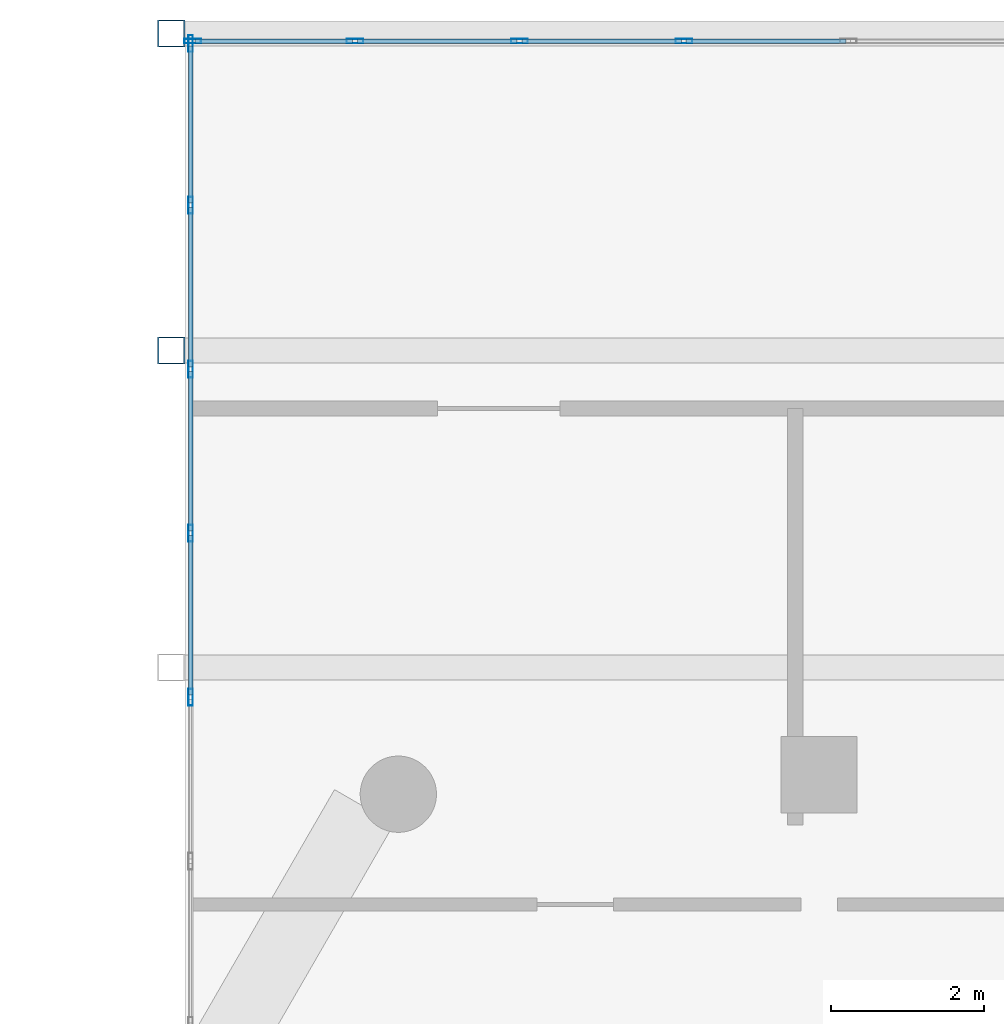
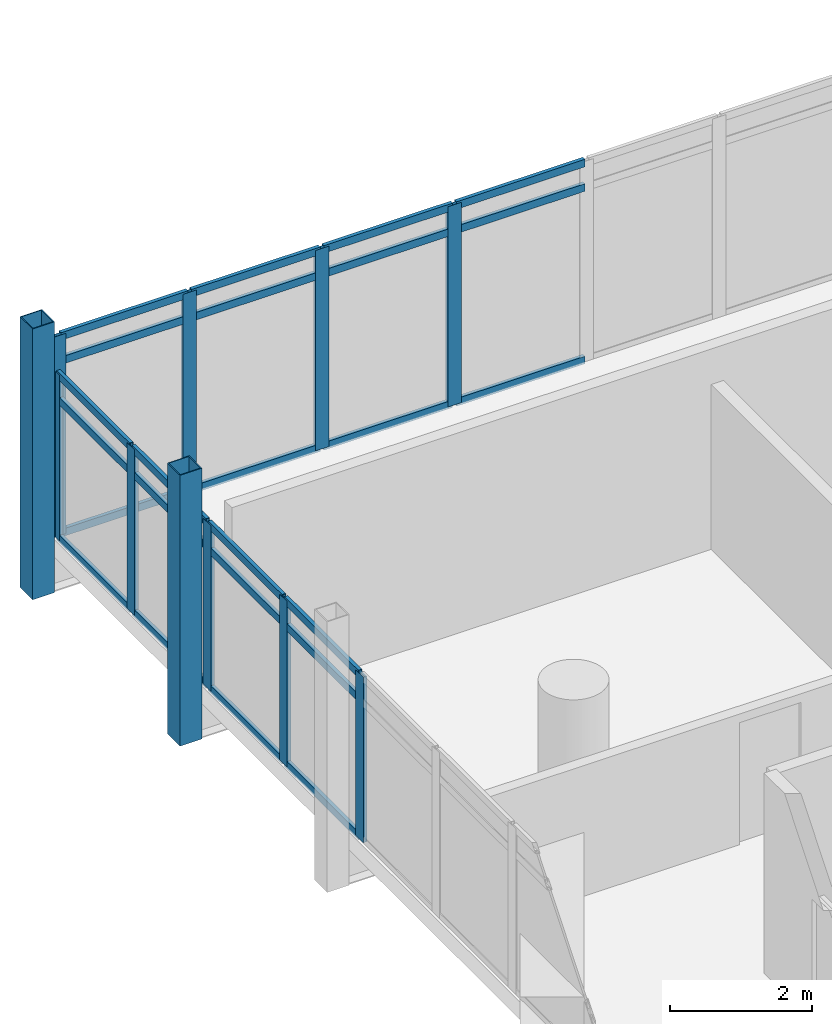
# One storey, part 15 of 29: 35 members, 2 elements without a shape of their own.
"""IFC4 building model written with IfcOpenShell, lengths in metres."""

from ifc_helpers import new_model, si_unit, direction, frame, origin, origin_2d, place, context, subcontext, project, spatial, hollow_rectangle, extrude, material, material_profile, profile_set, type_object, element, aggregate, save


model = new_model("IFC4")

# Units and contexts
model_context = context("Model", 3, precision=1e-05, world=origin(), true_north=direction((0.0, 1.0)))
body_context = subcontext(model_context, "Body", "Model", "MODEL_VIEW")
ifc_project = project(units=[si_unit("LENGTHUNIT", "METRE"), si_unit("AREAUNIT", "SQUARE_METRE"), si_unit("VOLUMEUNIT", "CUBIC_METRE"), si_unit("PLANEANGLEUNIT", "RADIAN"), si_unit("MASSUNIT", "GRAM", prefix="KILO")], contexts=[model_context])

# Site, building, storey
site_placement = place(None, origin())
site = spatial("IfcSite", under=ifc_project, at=site_placement, CompositionType="ELEMENT")
building_placement = place(site_placement, origin())
building = spatial("IfcBuilding", under=site, at=building_placement, Name="Ostrander Bayou Hotel Tower", CompositionType="ELEMENT")
storey_placement = place(building_placement, frame((0.0, 0.0, 205.75)))
storey = spatial("IfcBuildingStorey", under=building, at=storey_placement, Name="L51", CompositionType="ELEMENT", Elevation=205.75)

# Curtain wall, members
ifc_material_1 = material(Name="Aluminium and clear glass", Category="aluminium")
curtain_wall_type = type_object("IfcCurtainWallType", Name="CW-BAR glazed wall", PredefinedType="NOTDEFINED", material=ifc_material_1)
curtain_wall_1_placement = place(storey_placement, origin())
curtain_wall_1 = element("IfcCurtainWall", 1, at=curtain_wall_1_placement, inside=storey, type_object=curtain_wall_type, Name="CW-BAR L51:SB4N:E", PredefinedType="NOTDEFINED")
ifc_material_2 = material(Name="Aluminium", Category="aluminium")
ifc_material_profile_1 = material_profile(ifc_material_2, hollow_rectangle(XDim=0.06005859375, YDim=0.219970703125, WallThickness=0.00390625, at=origin_2d()))
ifc_profile_set_1 = profile_set([ifc_material_profile_1], Name="Aluminium")
member_type_1 = type_object("IfcMemberType", Name="CW-BR mullion 60 x 220 mm", PredefinedType="MULLION", material=ifc_profile_set_1)
member_1_placement = place(storey_placement, frame((-11.857177734375, 19.3154296875, 0.0), z_axis=(0.0, 0.0, 1.0), x_axis=(-1.0, 0.0, 0.0)))
member_1 = element("IfcMember", 2, at=member_1_placement, type_object=member_type_1, Name="CW-BAR mullion 6", PredefinedType="MULLION", context=body_context, shape_type="SweptSolid", body=[
    extrude(hollow_rectangle(XDim=0.06005859375, YDim=0.219970703125, WallThickness=0.00390625, at=origin_2d()), origin(), (0.0, 0.0, 1.0), 2.85009765625),
])
member_2_placement = place(storey_placement, frame((-11.857177734375, 21.465576171875, 0.0), z_axis=(0.0, 0.0, 1.0), x_axis=(-1.0, 0.0, 0.0)))
member_2 = element("IfcMember", 3, at=member_2_placement, type_object=member_type_1, Name="CW-BAR mullion 7", PredefinedType="MULLION", context=body_context, shape_type="SweptSolid", body=[
    extrude(hollow_rectangle(XDim=0.06005859375, YDim=0.219970703125, WallThickness=0.00390625, at=origin_2d()), origin(), (0.0, 0.0, 1.0), 2.85009765625),
])
member_3_placement = place(storey_placement, frame((-11.857177734375, 23.61572265625, 0.0), z_axis=(0.0, 0.0, 1.0), x_axis=(-1.0, 0.0, 0.0)))
member_3 = element("IfcMember", 4, at=member_3_placement, type_object=member_type_1, Name="CW-BAR mullion 8", PredefinedType="MULLION", context=body_context, shape_type="SweptSolid", body=[
    extrude(hollow_rectangle(XDim=0.06005859375, YDim=0.219970703125, WallThickness=0.00390625, at=origin_2d()), origin(), (0.0, 0.0, 1.0), 2.85009765625),
])
member_4_placement = place(storey_placement, frame((-11.857177734375, 25.765869140625, 0.0), z_axis=(0.0, 0.0, 1.0), x_axis=(-1.0, 0.0, 0.0)))
member_4 = element("IfcMember", 5, at=member_4_placement, type_object=member_type_1, Name="CW-BAR mullion 9", PredefinedType="MULLION", context=body_context, shape_type="SweptSolid", body=[
    extrude(hollow_rectangle(XDim=0.06005859375, YDim=0.219970703125, WallThickness=0.00390625, at=origin_2d()), origin(), (0.0, 0.0, 1.0), 2.85009765625),
])
member_5_placement = place(storey_placement, frame((-11.857177734375, 27.885986328125, 0.0), z_axis=(0.0, 0.0, 1.0), x_axis=(-1.0, 0.0, 0.0)))
member_5 = element("IfcMember", 6, at=member_5_placement, type_object=member_type_1, Name="CW-BAR mullion 10", PredefinedType="MULLION", context=body_context, shape_type="SweptSolid", body=[
    extrude(hollow_rectangle(XDim=0.06005859375, YDim=0.219970703125, WallThickness=0.00390625, at=origin_2d()), origin(), (0.0, 0.0, 1.0), 2.85009765625),
])

curtain_wall_2_placement = place(storey_placement, origin())
curtain_wall_2 = element("IfcCurtainWall", 7, at=curtain_wall_2_placement, inside=storey, type_object=curtain_wall_type, Name="CW-BAR L51:SB4N:T", PredefinedType="NOTDEFINED")
member_6_placement = place(storey_placement, frame((-11.8271484375, 27.916015625, 0.0), z_axis=(0.0, 0.0, 1.0), x_axis=(0.0, 1.0, 0.0)))
member_6 = element("IfcMember", 8, at=member_6_placement, type_object=member_type_1, Name="CW-BAR mullion 1", PredefinedType="MULLION", context=body_context, shape_type="SweptSolid", body=[
    extrude(hollow_rectangle(XDim=0.06005859375, YDim=0.219970703125, WallThickness=0.00390625, at=origin_2d()), origin(), (0.0, 0.0, 1.0), 3.449951171875),
])
member_7_placement = place(storey_placement, frame((-9.701416015625, 27.916015625, 0.0), z_axis=(0.0, 0.0, 1.0), x_axis=(0.0, 1.0, 0.0)))
member_7 = element("IfcMember", 9, at=member_7_placement, type_object=member_type_1, Name="CW-BAR mullion 2", PredefinedType="MULLION", context=body_context, shape_type="SweptSolid", body=[
    extrude(hollow_rectangle(XDim=0.06005859375, YDim=0.219970703125, WallThickness=0.00390625, at=origin_2d()), origin(), (0.0, 0.0, 1.0), 3.449951171875),
])
member_8_placement = place(storey_placement, frame((-7.54541015625, 27.916015625, 0.0), z_axis=(0.0, 0.0, 1.0), x_axis=(0.0, 1.0, 0.0)))
member_8 = element("IfcMember", 10, at=member_8_placement, type_object=member_type_1, Name="CW-BAR mullion 3", PredefinedType="MULLION", context=body_context, shape_type="SweptSolid", body=[
    extrude(hollow_rectangle(XDim=0.06005859375, YDim=0.219970703125, WallThickness=0.00390625, at=origin_2d()), origin(), (0.0, 0.0, 1.0), 3.449951171875),
])
member_9_placement = place(storey_placement, frame((-5.3896484375, 27.916015625, 0.0), z_axis=(0.0, 0.0, 1.0), x_axis=(0.0, 1.0, 0.0)))
member_9 = element("IfcMember", 11, at=member_9_placement, type_object=member_type_1, Name="CW-BAR mullion 4", PredefinedType="MULLION", context=body_context, shape_type="SweptSolid", body=[
    extrude(hollow_rectangle(XDim=0.06005859375, YDim=0.219970703125, WallThickness=0.00390625, at=origin_2d()), origin(), (0.0, 0.0, 1.0), 3.449951171875),
])

# Member
ifc_material_3 = material(Name="Aluminium", Category="aluminium")
ifc_material_profile_2 = material_profile(ifc_material_3, hollow_rectangle(XDim=0.06005859375, YDim=0.1298828125, WallThickness=0.00390625, at=origin_2d()))
ifc_profile_set_2 = profile_set([ifc_material_profile_2], Name="Aluminium")
member_type_2 = type_object("IfcMemberType", Name="CW-BR transom 60 x 130 mm", PredefinedType="USERDEFINED", material=ifc_profile_set_2)
member_10_placement = place(storey_placement, frame((-11.857177734375, 19.345458984375, 0.030029296875), z_axis=(0.0, 1.0, 0.0), x_axis=(-1.0, 0.0, 0.0)))
member_10 = element("IfcMember", 12, at=member_10_placement, type_object=member_type_2, Name="CW-BAR transom 6.1", ObjectType="TRANSOM", PredefinedType="USERDEFINED", context=body_context, shape_type="SweptSolid", body=[
    extrude(hollow_rectangle(XDim=0.06005859375, YDim=0.1298828125, WallThickness=0.00390625, at=origin_2d()), origin(), (0.0, 0.0, 1.0), 2.090087890625),
])

member_11_placement = place(storey_placement, frame((-11.857177734375, 19.345458984375, 2.39990234375), z_axis=(0.0, 1.0, 0.0), x_axis=(-1.0, 0.0, 0.0)))
member_11 = element("IfcMember", 13, at=member_11_placement, type_object=member_type_2, Name="CW-BAR transom 6.2", ObjectType="TRANSOM", PredefinedType="USERDEFINED", context=body_context, shape_type="SweptSolid", body=[
    extrude(hollow_rectangle(XDim=0.06005859375, YDim=0.1298828125, WallThickness=0.00390625, at=origin_2d()), origin(), (0.0, 0.0, 1.0), 2.090087890625),
])

member_12_placement = place(storey_placement, frame((-11.857177734375, 19.345458984375, 2.820068359375), z_axis=(0.0, 1.0, 0.0), x_axis=(-1.0, 0.0, 0.0)))
member_12 = element("IfcMember", 14, at=member_12_placement, type_object=member_type_2, Name="CW-BAR transom 6.3", ObjectType="TRANSOM", PredefinedType="USERDEFINED", context=body_context, shape_type="SweptSolid", body=[
    extrude(hollow_rectangle(XDim=0.06005859375, YDim=0.1298828125, WallThickness=0.00390625, at=origin_2d()), origin(), (0.0, 0.0, 1.0), 2.090087890625),
])

member_13_placement = place(storey_placement, frame((-11.857177734375, 21.49560546875, 0.030029296875), z_axis=(0.0, 1.0, 0.0), x_axis=(-1.0, 0.0, 0.0)))
member_13 = element("IfcMember", 15, at=member_13_placement, type_object=member_type_2, Name="CW-BAR transom 7.1", ObjectType="TRANSOM", PredefinedType="USERDEFINED", context=body_context, shape_type="SweptSolid", body=[
    extrude(hollow_rectangle(XDim=0.06005859375, YDim=0.1298828125, WallThickness=0.00390625, at=origin_2d()), origin(), (0.0, 0.0, 1.0), 2.090087890625),
])

member_14_placement = place(storey_placement, frame((-11.857177734375, 21.49560546875, 2.39990234375), z_axis=(0.0, 1.0, 0.0), x_axis=(-1.0, 0.0, 0.0)))
member_14 = element("IfcMember", 16, at=member_14_placement, type_object=member_type_2, Name="CW-BAR transom 7.2", ObjectType="TRANSOM", PredefinedType="USERDEFINED", context=body_context, shape_type="SweptSolid", body=[
    extrude(hollow_rectangle(XDim=0.06005859375, YDim=0.1298828125, WallThickness=0.00390625, at=origin_2d()), origin(), (0.0, 0.0, 1.0), 2.090087890625),
])

member_15_placement = place(storey_placement, frame((-11.857177734375, 21.49560546875, 2.820068359375), z_axis=(0.0, 1.0, 0.0), x_axis=(-1.0, 0.0, 0.0)))
member_15 = element("IfcMember", 17, at=member_15_placement, type_object=member_type_2, Name="CW-BAR transom 7.3", ObjectType="TRANSOM", PredefinedType="USERDEFINED", context=body_context, shape_type="SweptSolid", body=[
    extrude(hollow_rectangle(XDim=0.06005859375, YDim=0.1298828125, WallThickness=0.00390625, at=origin_2d()), origin(), (0.0, 0.0, 1.0), 2.090087890625),
])

member_16_placement = place(storey_placement, frame((-11.857177734375, 23.645751953125, 0.030029296875), z_axis=(0.0, 1.0, 0.0), x_axis=(-1.0, 0.0, 0.0)))
member_16 = element("IfcMember", 18, at=member_16_placement, type_object=member_type_2, Name="CW-BAR transom 8.1", ObjectType="TRANSOM", PredefinedType="USERDEFINED", context=body_context, shape_type="SweptSolid", body=[
    extrude(hollow_rectangle(XDim=0.06005859375, YDim=0.1298828125, WallThickness=0.00390625, at=origin_2d()), origin(), (0.0, 0.0, 1.0), 2.090087890625),
])

member_17_placement = place(storey_placement, frame((-11.857177734375, 23.645751953125, 2.39990234375), z_axis=(0.0, 1.0, 0.0), x_axis=(-1.0, 0.0, 0.0)))
member_17 = element("IfcMember", 19, at=member_17_placement, type_object=member_type_2, Name="CW-BAR transom 8.2", ObjectType="TRANSOM", PredefinedType="USERDEFINED", context=body_context, shape_type="SweptSolid", body=[
    extrude(hollow_rectangle(XDim=0.06005859375, YDim=0.1298828125, WallThickness=0.00390625, at=origin_2d()), origin(), (0.0, 0.0, 1.0), 2.090087890625),
])

member_18_placement = place(storey_placement, frame((-11.857177734375, 23.645751953125, 2.820068359375), z_axis=(0.0, 1.0, 0.0), x_axis=(-1.0, 0.0, 0.0)))
member_18 = element("IfcMember", 20, at=member_18_placement, type_object=member_type_2, Name="CW-BAR transom 8.3", ObjectType="TRANSOM", PredefinedType="USERDEFINED", context=body_context, shape_type="SweptSolid", body=[
    extrude(hollow_rectangle(XDim=0.06005859375, YDim=0.1298828125, WallThickness=0.00390625, at=origin_2d()), origin(), (0.0, 0.0, 1.0), 2.090087890625),
])

member_19_placement = place(storey_placement, frame((-11.857177734375, 25.7958984375, 0.030029296875), z_axis=(0.0, 1.0, 0.0), x_axis=(-1.0, 0.0, 0.0)))
member_19 = element("IfcMember", 21, at=member_19_placement, type_object=member_type_2, Name="CW-BAR transom 9.1", ObjectType="TRANSOM", PredefinedType="USERDEFINED", context=body_context, shape_type="SweptSolid", body=[
    extrude(hollow_rectangle(XDim=0.06005859375, YDim=0.1298828125, WallThickness=0.00390625, at=origin_2d()), origin(), (0.0, 0.0, 1.0), 2.060302734375),
])

member_20_placement = place(storey_placement, frame((-11.857177734375, 25.7958984375, 2.39990234375), z_axis=(0.0, 1.0, 0.0), x_axis=(-1.0, 0.0, 0.0)))
member_20 = element("IfcMember", 22, at=member_20_placement, type_object=member_type_2, Name="CW-BAR transom 9.2", ObjectType="TRANSOM", PredefinedType="USERDEFINED", context=body_context, shape_type="SweptSolid", body=[
    extrude(hollow_rectangle(XDim=0.06005859375, YDim=0.1298828125, WallThickness=0.00390625, at=origin_2d()), origin(), (0.0, 0.0, 1.0), 2.060302734375),
])

member_21_placement = place(storey_placement, frame((-11.857177734375, 25.7958984375, 2.820068359375), z_axis=(0.0, 1.0, 0.0), x_axis=(-1.0, 0.0, 0.0)))
member_21 = element("IfcMember", 23, at=member_21_placement, type_object=member_type_2, Name="CW-BAR transom 9.3", ObjectType="TRANSOM", PredefinedType="USERDEFINED", context=body_context, shape_type="SweptSolid", body=[
    extrude(hollow_rectangle(XDim=0.06005859375, YDim=0.1298828125, WallThickness=0.00390625, at=origin_2d()), origin(), (0.0, 0.0, 1.0), 2.060302734375),
])

aggregate(curtain_wall_1, [member_1, member_2, member_3, member_4, member_5, member_10, member_11, member_12, member_13, member_14, member_15, member_16, member_17, member_18, member_19, member_20, member_21])

member_22_placement = place(storey_placement, frame((-11.797119140625, 27.916015625, 0.030029296875), z_axis=(1.0, 0.0, 0.0), x_axis=(0.0, 1.0, 0.0)))
member_22 = element("IfcMember", 24, at=member_22_placement, type_object=member_type_2, Name="CW-BAR transom 1.1", ObjectType="TRANSOM", PredefinedType="USERDEFINED", context=body_context, shape_type="SweptSolid", body=[
    extrude(hollow_rectangle(XDim=0.06005859375, YDim=0.1298828125, WallThickness=0.00390625, at=origin_2d()), origin(), (0.0, 0.0, 1.0), 2.065673828125),
])

member_23_placement = place(storey_placement, frame((-11.797119140625, 27.916015625, 3.0), z_axis=(1.0, 0.0, 0.0), x_axis=(0.0, 1.0, 0.0)))
member_23 = element("IfcMember", 25, at=member_23_placement, type_object=member_type_2, Name="CW-BAR transom 1.2", ObjectType="TRANSOM", PredefinedType="USERDEFINED", context=body_context, shape_type="SweptSolid", body=[
    extrude(hollow_rectangle(XDim=0.06005859375, YDim=0.1298828125, WallThickness=0.00390625, at=origin_2d()), origin(), (0.0, 0.0, 1.0), 2.065673828125),
])

member_24_placement = place(storey_placement, frame((-11.797119140625, 27.916015625, 3.419921875), z_axis=(1.0, 0.0, 0.0), x_axis=(0.0, 1.0, 0.0)))
member_24 = element("IfcMember", 26, at=member_24_placement, type_object=member_type_2, Name="CW-BAR transom 1.3", ObjectType="TRANSOM", PredefinedType="USERDEFINED", context=body_context, shape_type="SweptSolid", body=[
    extrude(hollow_rectangle(XDim=0.06005859375, YDim=0.1298828125, WallThickness=0.00390625, at=origin_2d()), origin(), (0.0, 0.0, 1.0), 2.065673828125),
])

member_25_placement = place(storey_placement, frame((-9.67138671875, 27.916015625, 0.030029296875), z_axis=(1.0, 0.0, 0.0), x_axis=(0.0, 1.0, 0.0)))
member_25 = element("IfcMember", 27, at=member_25_placement, type_object=member_type_2, Name="CW-BAR transom 2.1", ObjectType="TRANSOM", PredefinedType="USERDEFINED", context=body_context, shape_type="SweptSolid", body=[
    extrude(hollow_rectangle(XDim=0.06005859375, YDim=0.1298828125, WallThickness=0.00390625, at=origin_2d()), origin(), (0.0, 0.0, 1.0), 2.095947265625),
])

member_26_placement = place(storey_placement, frame((-9.67138671875, 27.916015625, 3.0), z_axis=(1.0, 0.0, 0.0), x_axis=(0.0, 1.0, 0.0)))
member_26 = element("IfcMember", 28, at=member_26_placement, type_object=member_type_2, Name="CW-BAR transom 2.2", ObjectType="TRANSOM", PredefinedType="USERDEFINED", context=body_context, shape_type="SweptSolid", body=[
    extrude(hollow_rectangle(XDim=0.06005859375, YDim=0.1298828125, WallThickness=0.00390625, at=origin_2d()), origin(), (0.0, 0.0, 1.0), 2.095947265625),
])

member_27_placement = place(storey_placement, frame((-9.67138671875, 27.916015625, 3.419921875), z_axis=(1.0, 0.0, 0.0), x_axis=(0.0, 1.0, 0.0)))
member_27 = element("IfcMember", 29, at=member_27_placement, type_object=member_type_2, Name="CW-BAR transom 2.3", ObjectType="TRANSOM", PredefinedType="USERDEFINED", context=body_context, shape_type="SweptSolid", body=[
    extrude(hollow_rectangle(XDim=0.06005859375, YDim=0.1298828125, WallThickness=0.00390625, at=origin_2d()), origin(), (0.0, 0.0, 1.0), 2.095947265625),
])

member_28_placement = place(storey_placement, frame((-7.515380859375, 27.916015625, 0.030029296875), z_axis=(1.0, 0.0, 0.0), x_axis=(0.0, 1.0, 0.0)))
member_28 = element("IfcMember", 30, at=member_28_placement, type_object=member_type_2, Name="CW-BAR transom 3.1", ObjectType="TRANSOM", PredefinedType="USERDEFINED", context=body_context, shape_type="SweptSolid", body=[
    extrude(hollow_rectangle(XDim=0.06005859375, YDim=0.1298828125, WallThickness=0.00390625, at=origin_2d()), origin(), (0.0, 0.0, 1.0), 2.095703125),
])

member_29_placement = place(storey_placement, frame((-7.515380859375, 27.916015625, 3.0), z_axis=(1.0, 0.0, 0.0), x_axis=(0.0, 1.0, 0.0)))
member_29 = element("IfcMember", 31, at=member_29_placement, type_object=member_type_2, Name="CW-BAR transom 3.2", ObjectType="TRANSOM", PredefinedType="USERDEFINED", context=body_context, shape_type="SweptSolid", body=[
    extrude(hollow_rectangle(XDim=0.06005859375, YDim=0.1298828125, WallThickness=0.00390625, at=origin_2d()), origin(), (0.0, 0.0, 1.0), 2.095703125),
])

member_30_placement = place(storey_placement, frame((-7.515380859375, 27.916015625, 3.419921875), z_axis=(1.0, 0.0, 0.0), x_axis=(0.0, 1.0, 0.0)))
member_30 = element("IfcMember", 32, at=member_30_placement, type_object=member_type_2, Name="CW-BAR transom 3.3", ObjectType="TRANSOM", PredefinedType="USERDEFINED", context=body_context, shape_type="SweptSolid", body=[
    extrude(hollow_rectangle(XDim=0.06005859375, YDim=0.1298828125, WallThickness=0.00390625, at=origin_2d()), origin(), (0.0, 0.0, 1.0), 2.095703125),
])

member_31_placement = place(storey_placement, frame((-5.359619140625, 27.916015625, 0.030029296875), z_axis=(1.0, 0.0, 0.0), x_axis=(0.0, 1.0, 0.0)))
member_31 = element("IfcMember", 33, at=member_31_placement, type_object=member_type_2, Name="CW-BAR transom 4.1", ObjectType="TRANSOM", PredefinedType="USERDEFINED", context=body_context, shape_type="SweptSolid", body=[
    extrude(hollow_rectangle(XDim=0.06005859375, YDim=0.1298828125, WallThickness=0.00390625, at=origin_2d()), origin(), (0.0, 0.0, 1.0), 2.095947265625),
])

member_32_placement = place(storey_placement, frame((-5.359619140625, 27.916015625, 3.0), z_axis=(1.0, 0.0, 0.0), x_axis=(0.0, 1.0, 0.0)))
member_32 = element("IfcMember", 34, at=member_32_placement, type_object=member_type_2, Name="CW-BAR transom 4.2", ObjectType="TRANSOM", PredefinedType="USERDEFINED", context=body_context, shape_type="SweptSolid", body=[
    extrude(hollow_rectangle(XDim=0.06005859375, YDim=0.1298828125, WallThickness=0.00390625, at=origin_2d()), origin(), (0.0, 0.0, 1.0), 2.095947265625),
])

member_33_placement = place(storey_placement, frame((-5.359619140625, 27.916015625, 3.419921875), z_axis=(1.0, 0.0, 0.0), x_axis=(0.0, 1.0, 0.0)))
member_33 = element("IfcMember", 35, at=member_33_placement, type_object=member_type_2, Name="CW-BAR transom 4.3", ObjectType="TRANSOM", PredefinedType="USERDEFINED", context=body_context, shape_type="SweptSolid", body=[
    extrude(hollow_rectangle(XDim=0.06005859375, YDim=0.1298828125, WallThickness=0.00390625, at=origin_2d()), origin(), (0.0, 0.0, 1.0), 2.095947265625),
])

aggregate(curtain_wall_2, [member_6, member_7, member_8, member_9, member_22, member_23, member_24, member_25, member_26, member_27, member_28, member_29, member_30, member_31, member_32, member_33])

# Members
ifc_material_4 = material(Name="Steel ASTM A500 Gr C", Category="steel")
ifc_material_profile_3 = material_profile(ifc_material_4, hollow_rectangle(XDim=0.355712890625, YDim=0.355712890625, WallThickness=0.0146484375, at=origin_2d()))
ifc_profile_set_3 = profile_set([ifc_material_profile_3], Name="Steel ASTM A500 Gr C")
member_type_3 = type_object("IfcMemberType", Name="TH1 bar hanger HSS14x14x5/8", PredefinedType="POST", material=ifc_profile_set_3)
for number, where, z_axis, x_axis, name in (
    (36, (-12.110107421875, 28.01611328125, -0.9111328125), (0.0, 0.0, 1.0), (1.0, 0.0, 0.0), "TH1 SB4WA H1-4"),
    (37, (-12.110107421875, 23.861328125, -0.9111328125), (0.0, 0.0, 1.0), (1.0, 0.0, 0.0), "TH1 SB4WA H2-4"),
):
    element("IfcMember", number, at=place(storey_placement, frame(where, z_axis=z_axis, x_axis=x_axis)), inside=storey, type_object=member_type_3, Name=name, PredefinedType="POST", context=body_context, shape_type="SweptSolid", body=[
        extrude(hollow_rectangle(XDim=0.355712890625, YDim=0.355712890625, WallThickness=0.0146484375, at=origin_2d()), origin(), (0.0, 0.0, 1.0), 4.6611328125),
    ])

save(model, "model.ifc")
